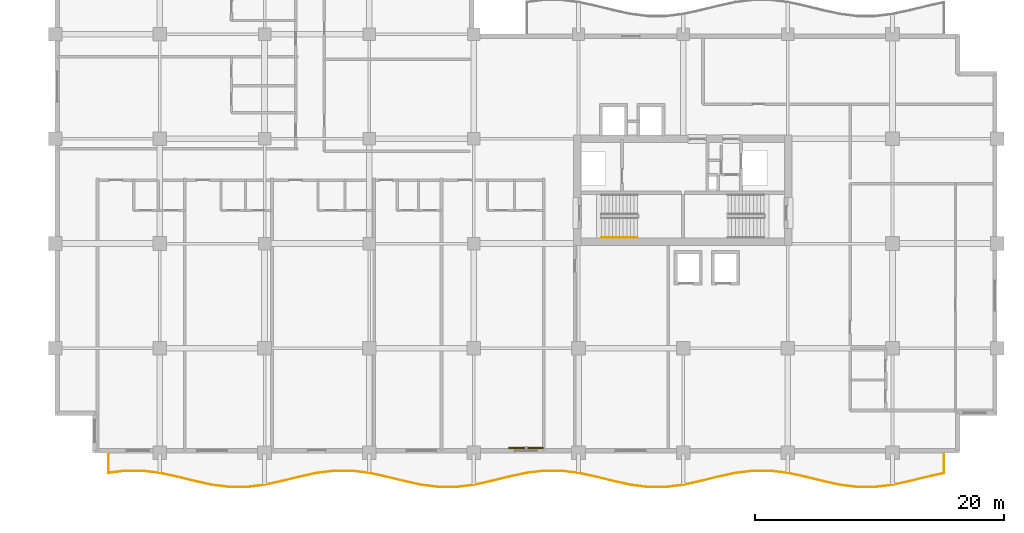
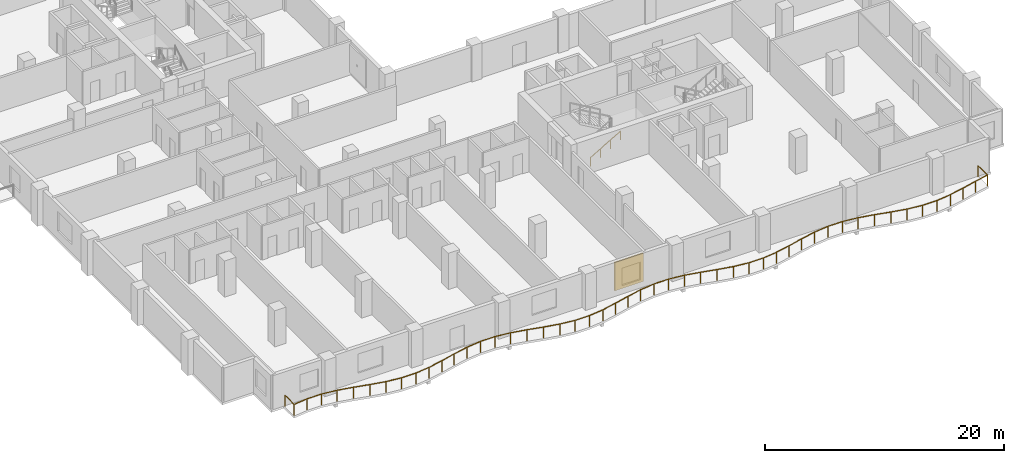
# One storey, part 12 of 15: 2 railings, 1 shading device.
"""IFC4 building model written with IfcOpenShell, lengths in metres."""

from ifc_helpers import new_model, si_unit, direction, frame, origin, origin_2d, place, context, subcontext, project, spatial, rectangle, circle, extrude, material, layer, layer_set, type_object, element, save


model = new_model("IFC4")

# Units and contexts
model_context = context("Model", 3, precision=1e-05, world=origin(), true_north=direction((0.0, 1.0)))
body_context = subcontext(model_context, "Body", "Model", "MODEL_VIEW")
ifc_project = project(units=[si_unit("LENGTHUNIT", "METRE"), si_unit("AREAUNIT", "SQUARE_METRE"), si_unit("VOLUMEUNIT", "CUBIC_METRE"), si_unit("PLANEANGLEUNIT", "RADIAN"), si_unit("MASSUNIT", "GRAM", prefix="KILO")], contexts=[model_context])

# Site, building, storey
site_placement = place(None, origin())
site = spatial("IfcSite", under=ifc_project, at=site_placement, CompositionType="ELEMENT")
building_placement = place(site_placement, origin())
building = spatial("IfcBuilding", under=site, at=building_placement, Name="Koriwani Terraces Tower", CompositionType="ELEMENT")
storey_placement = place(building_placement, frame((0.0, 0.0, 193.89990234375)))
storey = spatial("IfcBuildingStorey", under=building, at=storey_placement, Name="L47", CompositionType="ELEMENT", Elevation=193.89990234375)

# Railings
ifc_material_1 = material(Name="Steel ASTM A572 Grade 50", Category="steel")
railing_type_1 = type_object("IfcRailingType", Name="GUARD_BALUSTRADE_1150", PredefinedType="BALUSTRADE", material=ifc_material_1)
railing_1_placement = place(storey_placement, frame((4.280029296875, -0.080078125, 0.0)))
element("IfcRailing", 1, at=railing_1_placement, inside=storey, type_object=railing_type_1, Name="L47 Balcony Perimeter Safety Balustrade (S)", PredefinedType="BALUSTRADE", context=body_context, shape_type="SweptSolid", body=[
    extrude(circle(Radius=0.02392578125, at=origin_2d()), frame((0.0, 0.0, 1.1259765625), z_axis=(0.0, -1.0, 0.0), x_axis=(1.0, 0.0, 0.0)), (0.0, 0.0, 1.0), 1.527099609375),
    extrude(circle(Radius=0.02392578125, at=origin_2d()), frame((0.0, -1.527099609375, 1.1259765625), z_axis=(0.992328813699, 0.123626556627, 0.0), x_axis=(-0.123626556627, 0.992328813699, 0.0)), (0.0, 0.0, 1.0), 1.3251953125),
    extrude(circle(Radius=0.02392578125, at=origin_2d()), frame((1.31494140625, -1.36328125, 1.1259765625), z_axis=(1.0, 0.0, 0.0), x_axis=(0.0, 1.0, 0.0)), (0.0, 0.0, 1.0), 1.409912109375),
    extrude(circle(Radius=0.02392578125, at=origin_2d()), frame((2.724853515625, -1.36328125, 1.1259765625), z_axis=(0.992322798546, -0.123674829633, 0.0), x_axis=(0.123674829633, 0.992322798546, 0.0)), (0.0, 0.0, 1.0), 1.41943359375),
    extrude(circle(Radius=0.02392578125, at=origin_2d()), frame((4.13330078125, -1.538818359375, 1.1259765625), z_axis=(0.977453031353, -0.21115295759, 0.0), x_axis=(0.21115295759, 0.977453031353, 0.0)), (0.0, 0.0, 1.0), 1.437255859375),
    extrude(circle(Radius=0.02392578125, at=origin_2d()), frame((5.5380859375, -1.84228515625, 1.1259765625), z_axis=(0.970241952903, -0.242137466795, 0.0), x_axis=(0.242137466795, 0.970241952903, 0.0)), (0.0, 0.0, 1.0), 1.44287109375),
    extrude(circle(Radius=0.02392578125, at=origin_2d()), frame((6.93798828125, -2.191650390625, 1.1259765625), z_axis=(0.977402706702, -0.211385782237, 0.0), x_axis=(0.211385782237, 0.977402706702, 0.0)), (0.0, 0.0, 1.0), 1.427490234375),
    extrude(circle(Radius=0.02392578125, at=origin_2d()), frame((8.333251953125, -2.493408203125, 1.1259765625), z_axis=(0.992309982997, -0.123777613669, 0.0), x_axis=(0.123777613669, 0.992309982997, 0.0)), (0.0, 0.0, 1.0), 1.40234375),
    extrude(circle(Radius=0.02392578125, at=origin_2d()), frame((9.724853515625, -2.6669921875, 1.1259765625), z_axis=(1.0, 0.0, 0.0), x_axis=(0.0, 1.0, 0.0)), (0.0, 0.0, 1.0), 1.39013671875),
    extrude(circle(Radius=0.02392578125, at=origin_2d()), frame((11.114990234375, -2.6669921875, 1.1259765625), z_axis=(0.992309982997, 0.123777613669, 0.0), x_axis=(-0.123777613669, 0.992309982997, 0.0)), (0.0, 0.0, 1.0), 1.40234375),
    extrude(circle(Radius=0.02392578125, at=origin_2d()), frame((12.506591796875, -2.493408203125, 1.1259765625), z_axis=(0.977402706702, 0.211385782237, 0.0), x_axis=(-0.211385782237, 0.977402706702, 0.0)), (0.0, 0.0, 1.0), 1.427490234375),
    extrude(circle(Radius=0.02392578125, at=origin_2d()), frame((13.90185546875, -2.191650390625, 1.1259765625), z_axis=(0.970241952903, 0.242137466795, 0.0), x_axis=(-0.242137466795, 0.970241952903, 0.0)), (0.0, 0.0, 1.0), 1.44287109375),
    extrude(circle(Radius=0.02392578125, at=origin_2d()), frame((15.3017578125, -1.84228515625, 1.1259765625), z_axis=(0.977453031353, 0.21115295759, 0.0), x_axis=(-0.21115295759, 0.977453031353, 0.0)), (0.0, 0.0, 1.0), 1.437255859375),
    extrude(circle(Radius=0.02392578125, at=origin_2d()), frame((16.70654296875, -1.538818359375, 1.1259765625), z_axis=(0.992322798546, 0.123674829633, 0.0), x_axis=(-0.123674829633, 0.992322798546, 0.0)), (0.0, 0.0, 1.0), 1.41943359375),
    extrude(circle(Radius=0.02392578125, at=origin_2d()), frame((18.114990234375, -1.36328125, 1.1259765625), z_axis=(1.0, 0.0, 0.0), x_axis=(0.0, 1.0, 0.0)), (0.0, 0.0, 1.0), 1.409912109375),
    extrude(circle(Radius=0.02392578125, at=origin_2d()), frame((19.52490234375, -1.36328125, 1.1259765625), z_axis=(0.992322798546, -0.123674829633, 0.0), x_axis=(0.123674829633, 0.992322798546, 0.0)), (0.0, 0.0, 1.0), 1.41943359375),
    extrude(circle(Radius=0.02392578125, at=origin_2d()), frame((20.933349609375, -1.538818359375, 1.1259765625), z_axis=(0.977453031353, -0.21115295759, 0.0), x_axis=(0.21115295759, 0.977453031353, 0.0)), (0.0, 0.0, 1.0), 1.437255859375),
    extrude(circle(Radius=0.02392578125, at=origin_2d()), frame((22.338134765625, -1.84228515625, 1.1259765625), z_axis=(0.970241952903, -0.242137466795, 0.0), x_axis=(0.242137466795, 0.970241952903, 0.0)), (0.0, 0.0, 1.0), 1.44287109375),
    extrude(circle(Radius=0.02392578125, at=origin_2d()), frame((23.738037109375, -2.191650390625, 1.1259765625), z_axis=(0.977402706702, -0.211385782237, 0.0), x_axis=(0.211385782237, 0.977402706702, 0.0)), (0.0, 0.0, 1.0), 1.427490234375),
    extrude(circle(Radius=0.02392578125, at=origin_2d()), frame((25.13330078125, -2.493408203125, 1.1259765625), z_axis=(0.992309982997, -0.123777613669, 0.0), x_axis=(0.123777613669, 0.992309982997, 0.0)), (0.0, 0.0, 1.0), 1.40234375),
    extrude(circle(Radius=0.02392578125, at=origin_2d()), frame((26.52490234375, -2.6669921875, 1.1259765625), z_axis=(1.0, 0.0, 0.0), x_axis=(0.0, 1.0, 0.0)), (0.0, 0.0, 1.0), 1.39013671875),
    extrude(circle(Radius=0.02392578125, at=origin_2d()), frame((27.9150390625, -2.6669921875, 1.1259765625), z_axis=(0.992309982997, 0.123777613669, 0.0), x_axis=(-0.123777613669, 0.992309982997, 0.0)), (0.0, 0.0, 1.0), 1.40234375),
    extrude(circle(Radius=0.02392578125, at=origin_2d()), frame((29.306640625, -2.493408203125, 1.1259765625), z_axis=(0.977402706702, 0.211385782237, 0.0), x_axis=(-0.211385782237, 0.977402706702, 0.0)), (0.0, 0.0, 1.0), 1.427490234375),
    extrude(circle(Radius=0.02392578125, at=origin_2d()), frame((30.701904296875, -2.191650390625, 1.1259765625), z_axis=(0.970241952903, 0.242137466795, 0.0), x_axis=(-0.242137466795, 0.970241952903, 0.0)), (0.0, 0.0, 1.0), 1.44287109375),
    extrude(circle(Radius=0.02392578125, at=origin_2d()), frame((32.101806640625, -1.84228515625, 1.1259765625), z_axis=(0.977453031353, 0.21115295759, 0.0), x_axis=(-0.21115295759, 0.977453031353, 0.0)), (0.0, 0.0, 1.0), 1.437255859375),
    extrude(circle(Radius=0.02392578125, at=origin_2d()), frame((33.506591796875, -1.538818359375, 1.1259765625), z_axis=(0.992322798546, 0.123674829633, 0.0), x_axis=(-0.123674829633, 0.992322798546, 0.0)), (0.0, 0.0, 1.0), 1.41943359375),
    extrude(circle(Radius=0.02392578125, at=origin_2d()), frame((34.9150390625, -1.36328125, 1.1259765625), z_axis=(1.0, 0.0, 0.0), x_axis=(0.0, 1.0, 0.0)), (0.0, 0.0, 1.0), 1.409912109375),
    extrude(circle(Radius=0.02392578125, at=origin_2d()), frame((36.324951171875, -1.36328125, 1.1259765625), z_axis=(0.992322798546, -0.123674829633, 0.0), x_axis=(0.123674829633, 0.992322798546, 0.0)), (0.0, 0.0, 1.0), 1.41943359375),
    extrude(circle(Radius=0.02392578125, at=origin_2d()), frame((37.7333984375, -1.538818359375, 1.1259765625), z_axis=(0.977453031353, -0.21115295759, 0.0), x_axis=(0.21115295759, 0.977453031353, 0.0)), (0.0, 0.0, 1.0), 1.437255859375),
    extrude(circle(Radius=0.02392578125, at=origin_2d()), frame((39.13818359375, -1.84228515625, 1.1259765625), z_axis=(0.970241952903, -0.242137466795, 0.0), x_axis=(0.242137466795, 0.970241952903, 0.0)), (0.0, 0.0, 1.0), 1.44287109375),
    extrude(circle(Radius=0.02392578125, at=origin_2d()), frame((40.5380859375, -2.191650390625, 1.1259765625), z_axis=(0.977402706702, -0.211385782237, 0.0), x_axis=(0.211385782237, 0.977402706702, 0.0)), (0.0, 0.0, 1.0), 1.427490234375),
    extrude(circle(Radius=0.02392578125, at=origin_2d()), frame((41.933349609375, -2.493408203125, 1.1259765625), z_axis=(0.992309982997, -0.123777613669, 0.0), x_axis=(0.123777613669, 0.992309982997, 0.0)), (0.0, 0.0, 1.0), 1.40234375),
    extrude(circle(Radius=0.02392578125, at=origin_2d()), frame((43.324951171875, -2.6669921875, 1.1259765625), z_axis=(1.0, 0.0, 0.0), x_axis=(0.0, 1.0, 0.0)), (0.0, 0.0, 1.0), 1.39013671875),
    extrude(circle(Radius=0.02392578125, at=origin_2d()), frame((44.715087890625, -2.6669921875, 1.1259765625), z_axis=(0.992309982997, 0.123777613669, 0.0), x_axis=(-0.123777613669, 0.992309982997, 0.0)), (0.0, 0.0, 1.0), 1.40234375),
    extrude(circle(Radius=0.02392578125, at=origin_2d()), frame((46.106689453125, -2.493408203125, 1.1259765625), z_axis=(0.977402706702, 0.211385782237, 0.0), x_axis=(-0.211385782237, 0.977402706702, 0.0)), (0.0, 0.0, 1.0), 1.427490234375),
    extrude(circle(Radius=0.02392578125, at=origin_2d()), frame((47.501953125, -2.191650390625, 1.1259765625), z_axis=(0.970241952903, 0.242137466795, 0.0), x_axis=(-0.242137466795, 0.970241952903, 0.0)), (0.0, 0.0, 1.0), 1.44287109375),
    extrude(circle(Radius=0.02392578125, at=origin_2d()), frame((48.90185546875, -1.84228515625, 1.1259765625), z_axis=(0.977453031353, 0.21115295759, 0.0), x_axis=(-0.21115295759, 0.977453031353, 0.0)), (0.0, 0.0, 1.0), 1.437255859375),
    extrude(circle(Radius=0.02392578125, at=origin_2d()), frame((50.306640625, -1.538818359375, 1.1259765625), z_axis=(0.992322798546, 0.123674829633, 0.0), x_axis=(-0.123674829633, 0.992322798546, 0.0)), (0.0, 0.0, 1.0), 1.41943359375),
    extrude(circle(Radius=0.02392578125, at=origin_2d()), frame((51.715087890625, -1.36328125, 1.1259765625), z_axis=(1.0, 0.0, 0.0), x_axis=(0.0, 1.0, 0.0)), (0.0, 0.0, 1.0), 1.409912109375),
    extrude(circle(Radius=0.02392578125, at=origin_2d()), frame((53.125, -1.36328125, 1.1259765625), z_axis=(0.992322798546, -0.123674829633, 0.0), x_axis=(0.123674829633, 0.992322798546, 0.0)), (0.0, 0.0, 1.0), 1.41943359375),
    extrude(circle(Radius=0.02392578125, at=origin_2d()), frame((54.533447265625, -1.538818359375, 1.1259765625), z_axis=(0.977445455552, -0.211188023857, 0.0), x_axis=(0.211188023857, 0.977445455552, 0.0)), (0.0, 0.0, 1.0), 1.43701171875),
    extrude(circle(Radius=0.02392578125, at=origin_2d()), frame((55.93798828125, -1.84228515625, 1.1259765625), z_axis=(0.970251871253, -0.242097720621, 0.0), x_axis=(0.242097720621, 0.970251871253, 0.0)), (0.0, 0.0, 1.0), 1.443115234375),
    extrude(circle(Radius=0.02392578125, at=origin_2d()), frame((57.338134765625, -2.191650390625, 1.1259765625), z_axis=(0.977402706702, -0.211385782237, 0.0), x_axis=(0.211385782237, 0.977402706702, 0.0)), (0.0, 0.0, 1.0), 1.427490234375),
    extrude(circle(Radius=0.02392578125, at=origin_2d()), frame((58.7333984375, -2.493408203125, 1.1259765625), z_axis=(0.992309982997, -0.123777613669, 0.0), x_axis=(0.123777613669, 0.992309982997, 0.0)), (0.0, 0.0, 1.0), 1.40234375),
    extrude(circle(Radius=0.02392578125, at=origin_2d()), frame((60.125, -2.6669921875, 1.1259765625), z_axis=(1.0, 0.0, 0.0), x_axis=(0.0, 1.0, 0.0)), (0.0, 0.0, 1.0), 1.389892578125),
    extrude(circle(Radius=0.02392578125, at=origin_2d()), frame((61.514892578125, -2.6669921875, 1.1259765625), z_axis=(0.992309982997, 0.123777613669, 0.0), x_axis=(-0.123777613669, 0.992309982997, 0.0)), (0.0, 0.0, 1.0), 1.40234375),
    extrude(circle(Radius=0.02392578125, at=origin_2d()), frame((62.906494140625, -2.493408203125, 1.1259765625), z_axis=(0.977402706702, 0.211385782237, 0.0), x_axis=(-0.211385782237, 0.977402706702, 0.0)), (0.0, 0.0, 1.0), 1.427490234375),
    extrude(circle(Radius=0.02392578125, at=origin_2d()), frame((64.3017578125, -2.191650390625, 1.1259765625), z_axis=(0.970251871253, 0.242097720621, 0.0), x_axis=(-0.242097720621, 0.970251871253, 0.0)), (0.0, 0.0, 1.0), 1.443115234375),
    extrude(circle(Radius=0.02392578125, at=origin_2d()), frame((65.701904296875, -1.84228515625, 1.1259765625), z_axis=(0.977417151998, 0.211318979222, 0.0), x_axis=(-0.211318979222, 0.977417151998, 0.0)), (0.0, 0.0, 1.0), 1.369140625),
    extrude(circle(Radius=0.02392578125, at=origin_2d()), frame((67.0400390625, -1.552978515625, 1.1259765625), z_axis=(0.0, 1.0, 0.0), x_axis=(-1.0, 0.0, 0.0)), (0.0, 0.0, 1.0), 1.552978515625),
    extrude(circle(Radius=0.02099609375, at=origin_2d()), origin(), (0.0, 0.0, 1.0), 1.101806640625),
    extrude(circle(Radius=0.02099609375, at=origin_2d()), frame((0.0, -1.527099609375, 0.0)), (0.0, 0.0, 1.0), 1.101806640625),
    extrude(circle(Radius=0.02099609375, at=origin_2d()), frame((1.31494140625, -1.36328125, 0.0)), (0.0, 0.0, 1.0), 1.101806640625),
    extrude(circle(Radius=0.02099609375, at=origin_2d()), frame((2.724853515625, -1.36328125, 0.0)), (0.0, 0.0, 1.0), 1.101806640625),
    extrude(circle(Radius=0.02099609375, at=origin_2d()), frame((4.13330078125, -1.538818359375, 0.0)), (0.0, 0.0, 1.0), 1.101806640625),
    extrude(circle(Radius=0.02099609375, at=origin_2d()), frame((5.5380859375, -1.84228515625, 0.0)), (0.0, 0.0, 1.0), 1.101806640625),
    extrude(circle(Radius=0.02099609375, at=origin_2d()), frame((6.93798828125, -2.191650390625, 0.0)), (0.0, 0.0, 1.0), 1.101806640625),
    extrude(circle(Radius=0.02099609375, at=origin_2d()), frame((8.333251953125, -2.493408203125, 0.0)), (0.0, 0.0, 1.0), 1.101806640625),
    extrude(circle(Radius=0.02099609375, at=origin_2d()), frame((9.724853515625, -2.6669921875, 0.0)), (0.0, 0.0, 1.0), 1.101806640625),
    extrude(circle(Radius=0.02099609375, at=origin_2d()), frame((11.114990234375, -2.6669921875, 0.0)), (0.0, 0.0, 1.0), 1.101806640625),
    extrude(circle(Radius=0.02099609375, at=origin_2d()), frame((12.506591796875, -2.493408203125, 0.0)), (0.0, 0.0, 1.0), 1.101806640625),
    extrude(circle(Radius=0.02099609375, at=origin_2d()), frame((13.90185546875, -2.191650390625, 0.0)), (0.0, 0.0, 1.0), 1.101806640625),
    extrude(circle(Radius=0.02099609375, at=origin_2d()), frame((15.3017578125, -1.84228515625, 0.0)), (0.0, 0.0, 1.0), 1.101806640625),
    extrude(circle(Radius=0.02099609375, at=origin_2d()), frame((16.70654296875, -1.538818359375, 0.0)), (0.0, 0.0, 1.0), 1.101806640625),
    extrude(circle(Radius=0.02099609375, at=origin_2d()), frame((18.114990234375, -1.36328125, 0.0)), (0.0, 0.0, 1.0), 1.101806640625),
    extrude(circle(Radius=0.02099609375, at=origin_2d()), frame((19.52490234375, -1.36328125, 0.0)), (0.0, 0.0, 1.0), 1.101806640625),
    extrude(circle(Radius=0.02099609375, at=origin_2d()), frame((20.933349609375, -1.538818359375, 0.0)), (0.0, 0.0, 1.0), 1.101806640625),
    extrude(circle(Radius=0.02099609375, at=origin_2d()), frame((22.338134765625, -1.84228515625, 0.0)), (0.0, 0.0, 1.0), 1.101806640625),
    extrude(circle(Radius=0.02099609375, at=origin_2d()), frame((23.738037109375, -2.191650390625, 0.0)), (0.0, 0.0, 1.0), 1.101806640625),
    extrude(circle(Radius=0.02099609375, at=origin_2d()), frame((25.13330078125, -2.493408203125, 0.0)), (0.0, 0.0, 1.0), 1.101806640625),
    extrude(circle(Radius=0.02099609375, at=origin_2d()), frame((26.52490234375, -2.6669921875, 0.0)), (0.0, 0.0, 1.0), 1.101806640625),
    extrude(circle(Radius=0.02099609375, at=origin_2d()), frame((27.9150390625, -2.6669921875, 0.0)), (0.0, 0.0, 1.0), 1.101806640625),
    extrude(circle(Radius=0.02099609375, at=origin_2d()), frame((29.306640625, -2.493408203125, 0.0)), (0.0, 0.0, 1.0), 1.101806640625),
    extrude(circle(Radius=0.02099609375, at=origin_2d()), frame((30.701904296875, -2.191650390625, 0.0)), (0.0, 0.0, 1.0), 1.101806640625),
    extrude(circle(Radius=0.02099609375, at=origin_2d()), frame((32.101806640625, -1.84228515625, 0.0)), (0.0, 0.0, 1.0), 1.101806640625),
    extrude(circle(Radius=0.02099609375, at=origin_2d()), frame((33.506591796875, -1.538818359375, 0.0)), (0.0, 0.0, 1.0), 1.101806640625),
    extrude(circle(Radius=0.02099609375, at=origin_2d()), frame((34.9150390625, -1.36328125, 0.0)), (0.0, 0.0, 1.0), 1.101806640625),
    extrude(circle(Radius=0.02099609375, at=origin_2d()), frame((36.324951171875, -1.36328125, 0.0)), (0.0, 0.0, 1.0), 1.101806640625),
    extrude(circle(Radius=0.02099609375, at=origin_2d()), frame((37.7333984375, -1.538818359375, 0.0)), (0.0, 0.0, 1.0), 1.101806640625),
    extrude(circle(Radius=0.02099609375, at=origin_2d()), frame((39.13818359375, -1.84228515625, 0.0)), (0.0, 0.0, 1.0), 1.101806640625),
    extrude(circle(Radius=0.02099609375, at=origin_2d()), frame((40.5380859375, -2.191650390625, 0.0)), (0.0, 0.0, 1.0), 1.101806640625),
    extrude(circle(Radius=0.02099609375, at=origin_2d()), frame((41.933349609375, -2.493408203125, 0.0)), (0.0, 0.0, 1.0), 1.101806640625),
    extrude(circle(Radius=0.02099609375, at=origin_2d()), frame((43.324951171875, -2.6669921875, 0.0)), (0.0, 0.0, 1.0), 1.101806640625),
    extrude(circle(Radius=0.02099609375, at=origin_2d()), frame((44.715087890625, -2.6669921875, 0.0)), (0.0, 0.0, 1.0), 1.101806640625),
    extrude(circle(Radius=0.02099609375, at=origin_2d()), frame((46.106689453125, -2.493408203125, 0.0)), (0.0, 0.0, 1.0), 1.101806640625),
    extrude(circle(Radius=0.02099609375, at=origin_2d()), frame((47.501953125, -2.191650390625, 0.0)), (0.0, 0.0, 1.0), 1.101806640625),
    extrude(circle(Radius=0.02099609375, at=origin_2d()), frame((48.90185546875, -1.84228515625, 0.0)), (0.0, 0.0, 1.0), 1.101806640625),
    extrude(circle(Radius=0.02099609375, at=origin_2d()), frame((50.306640625, -1.538818359375, 0.0)), (0.0, 0.0, 1.0), 1.101806640625),
    extrude(circle(Radius=0.02099609375, at=origin_2d()), frame((51.715087890625, -1.36328125, 0.0)), (0.0, 0.0, 1.0), 1.101806640625),
    extrude(circle(Radius=0.02099609375, at=origin_2d()), frame((53.125, -1.36328125, 0.0)), (0.0, 0.0, 1.0), 1.101806640625),
    extrude(circle(Radius=0.02099609375, at=origin_2d()), frame((54.533447265625, -1.538818359375, 0.0)), (0.0, 0.0, 1.0), 1.101806640625),
    extrude(circle(Radius=0.02099609375, at=origin_2d()), frame((55.93798828125, -1.84228515625, 0.0)), (0.0, 0.0, 1.0), 1.101806640625),
    extrude(circle(Radius=0.02099609375, at=origin_2d()), frame((57.338134765625, -2.191650390625, 0.0)), (0.0, 0.0, 1.0), 1.101806640625),
    extrude(circle(Radius=0.02099609375, at=origin_2d()), frame((58.7333984375, -2.493408203125, 0.0)), (0.0, 0.0, 1.0), 1.101806640625),
    extrude(circle(Radius=0.02099609375, at=origin_2d()), frame((60.125, -2.6669921875, 0.0)), (0.0, 0.0, 1.0), 1.101806640625),
    extrude(circle(Radius=0.02099609375, at=origin_2d()), frame((61.514892578125, -2.6669921875, 0.0)), (0.0, 0.0, 1.0), 1.101806640625),
    extrude(circle(Radius=0.02099609375, at=origin_2d()), frame((62.906494140625, -2.493408203125, 0.0)), (0.0, 0.0, 1.0), 1.101806640625),
    extrude(circle(Radius=0.02099609375, at=origin_2d()), frame((64.3017578125, -2.191650390625, 0.0)), (0.0, 0.0, 1.0), 1.101806640625),
    extrude(circle(Radius=0.02099609375, at=origin_2d()), frame((65.701904296875, -1.84228515625, 0.0)), (0.0, 0.0, 1.0), 1.101806640625),
    extrude(circle(Radius=0.02099609375, at=origin_2d()), frame((67.0400390625, -1.552978515625, 0.0)), (0.0, 0.0, 1.0), 1.101806640625),
    extrude(circle(Radius=0.02099609375, at=origin_2d()), frame((67.0400390625, 0.0, 0.0)), (0.0, 0.0, 1.0), 1.101806640625),
])
railing_type_2 = type_object("IfcRailingType", Name="HANDRAIL_STAIR_920", PredefinedType="HANDRAIL", material=ifc_material_1)
railing_2_placement = place(storey_placement, frame((43.85009765625, 17.300048828125, 0.168212890625)))
element("IfcRailing", 2, at=railing_2_placement, inside=storey, type_object=railing_type_2, Name="L47 ST-E1 stair handrail 1", PredefinedType="HANDRAIL", context=body_context, shape_type="SweptSolid", body=[
    extrude(circle(Radius=0.02392578125, at=origin_2d()), frame((0.0, 0.0, 0.8759765625), z_axis=(0.865038774852, 0.0, 0.501705010941), x_axis=(0.0, 1.0, 0.0)), (0.0, 0.0, 1.0), 3.352294921875),
    extrude(circle(Radius=0.02099609375, at=origin_2d()), origin(), (0.0, 0.0, 1.0), 0.851806640625),
    extrude(circle(Radius=0.02099609375, at=origin_2d()), frame((0.966552734375, 0.0, 0.560546875)), (0.0, 0.0, 1.0), 0.851806640625),
    extrude(circle(Radius=0.02099609375, at=origin_2d()), frame((1.933349609375, 0.0, 1.121337890625)), (0.0, 0.0, 1.0), 0.851806640625),
    extrude(circle(Radius=0.02099609375, at=origin_2d()), frame((2.89990234375, 0.0, 1.681884765625)), (0.0, 0.0, 1.0), 0.851806640625),
])

# Shading device
ifc_material_2 = material(Name="Extruded Terracotta Clay", Category="masonry")
ifc_layer = layer(ifc_material_2, 0.1201171875, Name="Extruded Terracotta Clay")
ifc_layer_set = layer_set([ifc_layer], Name="Extruded Terracotta Clay")
shading_device_type = type_object("IfcShadingDeviceType", Name="TERRACOTTA_BAGUETTE_SCREEN_2800", PredefinedType="USERDEFINED", material=ifc_layer_set)
shading_device_placement = place(storey_placement, frame((37.800048828125, 0.405029296875, 0.28515625), z_axis=(0.0, 0.0, 1.0), x_axis=(-1.0, 0.0, 0.0)))
element("IfcShadingDevice", 3, at=shading_device_placement, inside=storey, type_object=shading_device_type, Name="L47 Extruded Terracotta Baguette Screen (S-12)", ObjectType="BAGUETTE", PredefinedType="USERDEFINED", context=body_context, shape_type="SweptSolid", body=[
    extrude(rectangle(XDim=2.760009765625, YDim=0.1201171875, at=origin_2d()), origin(), (0.0, 0.0, 1.0), 2.89990234375),
])

save(model, "model.ifc")
